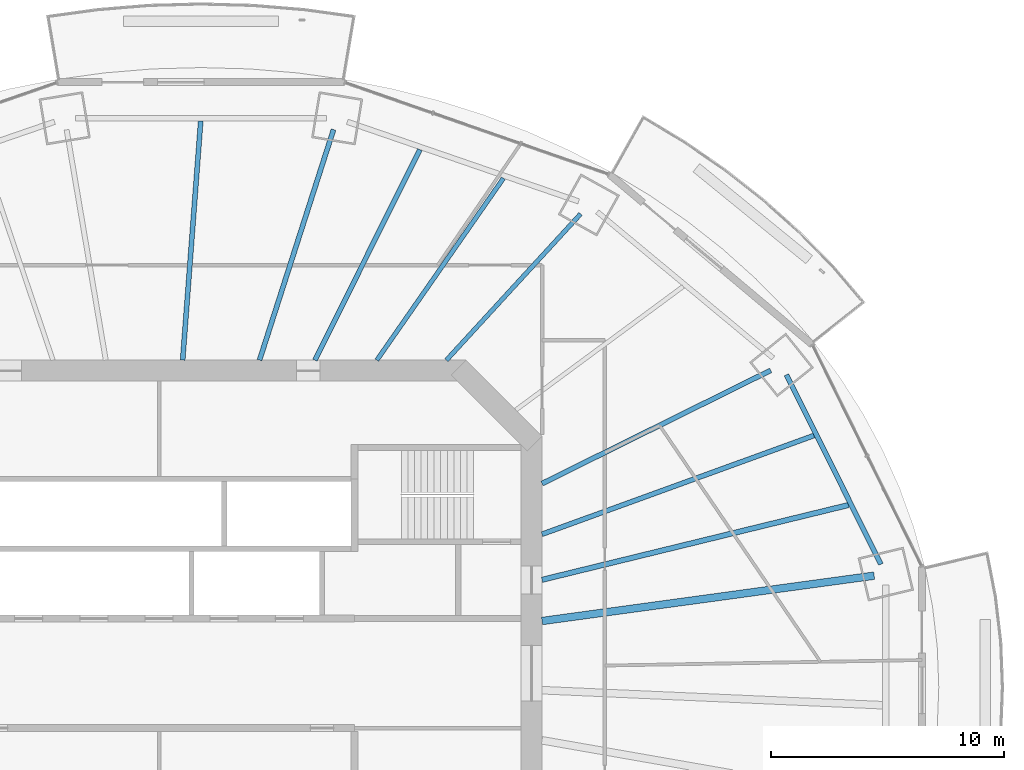
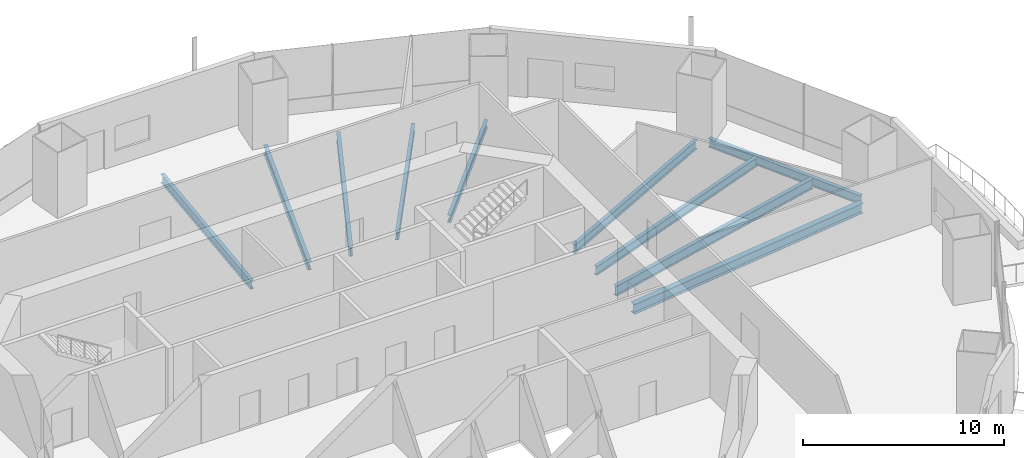
# One storey, part 7 of 21: 10 beams.
"""IFC4 building model written with IfcOpenShell, lengths in metres."""

from ifc_helpers import new_model, si_unit, direction, frame, origin, origin_2d, place, context, subcontext, project, spatial, i_section, extrude, material, material_profile, profile_set, type_object, element, save


model = new_model("IFC4")

# Units and contexts
model_context = context("Model", 3, precision=1e-05, world=origin(), true_north=direction((0.0, 1.0)))
body_context = subcontext(model_context, "Body", "Model", "MODEL_VIEW")
ifc_project = project(units=[si_unit("LENGTHUNIT", "METRE"), si_unit("AREAUNIT", "SQUARE_METRE"), si_unit("VOLUMEUNIT", "CUBIC_METRE"), si_unit("PLANEANGLEUNIT", "RADIAN"), si_unit("MASSUNIT", "GRAM", prefix="KILO")], contexts=[model_context])

# Site, building, storey
site_placement = place(None, origin())
site = spatial("IfcSite", under=ifc_project, at=site_placement, CompositionType="ELEMENT")
building_placement = place(site_placement, origin())
building = spatial("IfcBuilding", under=site, at=building_placement, Name="Marenthal Gate Tower", CompositionType="ELEMENT")
storey_placement = place(building_placement, frame((0.0, 0.0, 198.39990234375)))
storey = spatial("IfcBuildingStorey", under=building, at=storey_placement, Name="L43", CompositionType="ELEMENT", Elevation=198.39990234375)

# Beams
ifc_material_1 = material(Name="Steel S355", Category="steel")
ifc_material_profile_1 = material_profile(ifc_material_1, i_section(OverallWidth=0.193115234375, OverallDepth=0.467041015625, WebThickness=0.011474609375, FlangeThickness=0.01904296875, FilletRadius=0.010009765625, at=origin_2d()), Name="W460X97")
ifc_profile_set_1 = profile_set([ifc_material_profile_1], Name="Steel S355")
beam_type_1 = type_object("IfcBeamType", Name="W460X97 beam", PredefinedType="BEAM", material=ifc_profile_set_1)
beam_1_placement = place(storey_placement, frame((18.10546875, 19.726806640625, -0.413330078125), z_axis=(-0.676183850406, -0.73673292342, 0.0), x_axis=(0.73673292342, -0.676183850406, 0.0)))
element("IfcBeam", 1, at=beam_1_placement, inside=storey, type_object=beam_type_1, Name="BM-L43-03", PredefinedType="BEAM", context=body_context, shape_type="SweptSolid", body=[
    extrude(i_section(OverallWidth=0.193115234375, OverallDepth=0.467041015625, WebThickness=0.011474609375, FlangeThickness=0.01904296875, FilletRadius=0.010009765625, at=origin_2d()), origin(), (0.0, 0.0, 1.0), 8.519775390625),
])
beam_2_placement = place(storey_placement, frame((14.790771484375, 21.258544921875, -0.413330078125), z_axis=(-0.571120884229, -0.820865966889, 0.0), x_axis=(0.820865966889, -0.571120884229, 0.0)))
element("IfcBeam", 2, at=beam_2_placement, inside=storey, type_object=beam_type_1, Name="BM-L43-20", PredefinedType="BEAM", context=body_context, shape_type="SweptSolid", body=[
    extrude(i_section(OverallWidth=0.193115234375, OverallDepth=0.467041015625, WebThickness=0.011474609375, FlangeThickness=0.01904296875, FilletRadius=0.010009765625, at=origin_2d()), origin(), (0.0, 0.0, 1.0), 9.5126953125),
])
ifc_material_2 = material(Name="Steel S355", Category="steel")
ifc_material_profile_2 = material_profile(ifc_material_2, i_section(OverallWidth=0.2099609375, OverallDepth=0.535888671875, WebThickness=0.010986328125, FlangeThickness=0.017333984375, FilletRadius=0.0126953125, at=origin_2d()), Name="W530X101")
ifc_profile_set_2 = profile_set([ifc_material_profile_2], Name="Steel S355")
beam_type_2 = type_object("IfcBeamType", Name="W530X101 beam", PredefinedType="BEAM", material=ifc_profile_set_2)
beam_3_placement = place(storey_placement, frame((11.20361328125, 22.492919921875, -0.447998046875), z_axis=(-0.445859796425, -0.895102810817, 0.0), x_axis=(0.895102810817, -0.445859796425, 0.0)))
element("IfcBeam", 3, at=beam_3_placement, inside=storey, type_object=beam_type_2, Name="BM-L43-21", PredefinedType="BEAM", context=body_context, shape_type="SweptSolid", body=[
    extrude(i_section(OverallWidth=0.2099609375, OverallDepth=0.535888671875, WebThickness=0.010986328125, FlangeThickness=0.017333984375, FilletRadius=0.0126953125, at=origin_2d()), origin(), (0.0, 0.0, 1.0), 10.102783203125),
])
beam_4_placement = place(storey_placement, frame((1.79150390625, 23.7216796875, -0.447998046875), z_axis=(-0.07532080965, -0.99715935318, 0.0), x_axis=(0.99715935318, -0.07532080965, 0.0)))
element("IfcBeam", 4, at=beam_4_placement, inside=storey, type_object=beam_type_2, Name="BM-L43-22", PredefinedType="BEAM", context=body_context, shape_type="SweptSolid", body=[
    extrude(i_section(OverallWidth=0.2099609375, OverallDepth=0.535888671875, WebThickness=0.010986328125, FlangeThickness=0.017333984375, FilletRadius=0.0126953125, at=origin_2d()), origin(), (0.0, 0.0, 1.0), 10.301025390625),
])
ifc_material_3 = material(Name="Steel S355", Category="steel")
ifc_material_profile_3 = material_profile(ifc_material_3, i_section(OverallWidth=0.2119140625, OverallDepth=0.5439453125, WebThickness=0.01318359375, FlangeThickness=0.021240234375, FilletRadius=0.0126953125, at=origin_2d()), Name="W530X123")
ifc_profile_set_3 = profile_set([ifc_material_profile_3], Name="Steel S355")
beam_type_3 = type_object("IfcBeamType", Name="W530X123 beam", PredefinedType="BEAM", material=ifc_profile_set_3)
beam_5_placement = place(storey_placement, frame((26.267822265625, 13.009521484375, -0.451904296875), z_axis=(-0.89611433434, -0.443823275403, 0.0), x_axis=(0.443823275403, -0.89611433434, 0.0)))
element("IfcBeam", 5, at=beam_5_placement, inside=storey, type_object=beam_type_3, Name="BM-L43-02", PredefinedType="BEAM", context=body_context, shape_type="SweptSolid", body=[
    extrude(i_section(OverallWidth=0.2119140625, OverallDepth=0.5439453125, WebThickness=0.01318359375, FlangeThickness=0.021240234375, FilletRadius=0.0126953125, at=origin_2d()), origin(), (0.0, 0.0, 1.0), 10.9560546875),
])
beam_6_placement = place(storey_placement, frame((7.494873046875, 23.349853515625, -0.451904296875), z_axis=(-0.30560630991, -0.95215796134, 0.0), x_axis=(0.95215796134, -0.30560630991, 0.0)))
element("IfcBeam", 6, at=beam_6_placement, inside=storey, type_object=beam_type_3, Name="BM-L43-04", PredefinedType="BEAM", context=body_context, shape_type="SweptSolid", body=[
    extrude(i_section(OverallWidth=0.2119140625, OverallDepth=0.5439453125, WebThickness=0.01318359375, FlangeThickness=0.021240234375, FilletRadius=0.0126953125, at=origin_2d()), origin(), (0.0, 0.0, 1.0), 10.397216796875),
])
beam_7_placement = place(storey_placement, frame((28.1298828125, 10.2119140625, -0.451904296875), z_axis=(-0.939974568128, -0.341244503653, 0.0), x_axis=(0.341244503653, -0.939974568128, 0.0)))
element("IfcBeam", 7, at=beam_7_placement, inside=storey, type_object=beam_type_3, Name="BM-L43-18", PredefinedType="BEAM", context=body_context, shape_type="SweptSolid", body=[
    extrude(i_section(OverallWidth=0.2119140625, OverallDepth=0.5439453125, WebThickness=0.01318359375, FlangeThickness=0.021240234375, FilletRadius=0.0126953125, at=origin_2d()), origin(), (0.0, 0.0, 1.0), 12.42578125),
])
beam_8_placement = place(storey_placement, frame((31.003662109375, 4.685791015625, -0.451904296875), z_axis=(-0.446214029057, 0.894926276446, 0.0), x_axis=(-0.894926276446, -0.446214029057, 0.0)))
element("IfcBeam", 8, at=beam_8_placement, inside=storey, type_object=beam_type_3, Name="BM-L43-41", PredefinedType="BEAM", context=body_context, shape_type="SweptSolid", body=[
    extrude(i_section(OverallWidth=0.2119140625, OverallDepth=0.5439453125, WebThickness=0.01318359375, FlangeThickness=0.021240234375, FilletRadius=0.0126953125, at=origin_2d()), origin(), (0.0, 0.0, 1.0), 9.088623046875),
])
ifc_material_4 = material(Name="Steel S355", Category="steel")
ifc_material_profile_4 = material_profile(ifc_material_4, i_section(OverallWidth=0.22900390625, OverallDepth=0.612060546875, WebThickness=0.011962890625, FlangeThickness=0.01953125, FilletRadius=0.0126953125, at=origin_2d()), Name="W610X125")
ifc_profile_set_4 = profile_set([ifc_material_profile_4], Name="Steel S355")
beam_type_4 = type_object("IfcBeamType", Name="W610X125 beam", PredefinedType="BEAM", material=ifc_profile_set_4)
beam_9_placement = place(storey_placement, frame((29.617431640625, 7.228759765625, -0.48583984375), z_axis=(-0.971481489313, -0.237115406336, 0.0), x_axis=(0.237115406336, -0.971481489313, 0.0)))
element("IfcBeam", 9, at=beam_9_placement, inside=storey, type_object=beam_type_4, Name="BM-L43-17", PredefinedType="BEAM", context=body_context, shape_type="SweptSolid", body=[
    extrude(i_section(OverallWidth=0.22900390625, OverallDepth=0.612060546875, WebThickness=0.011962890625, FlangeThickness=0.01953125, FilletRadius=0.0126953125, at=origin_2d()), origin(), (0.0, 0.0, 1.0), 13.553955078125),
])
ifc_material_5 = material(Name="Steel S355", Category="steel")
ifc_material_profile_5 = material_profile(ifc_material_5, i_section(OverallWidth=0.324951171875, OverallDepth=0.612060546875, WebThickness=0.0126953125, FlangeThickness=0.01904296875, FilletRadius=0.0126953125, at=origin_2d()), Name="W610X155")
ifc_profile_set_5 = profile_set([ifc_material_profile_5], Name="Steel S355")
beam_type_5 = type_object("IfcBeamType", Name="W610X155 beam", PredefinedType="BEAM", material=ifc_profile_set_5)
beam_10_placement = place(storey_placement, frame((30.71533203125, 4.1923828125, -0.48583984375), z_axis=(-0.990813960632, -0.135232005888, 0.0), x_axis=(0.135232005888, -0.990813960632, 0.0)))
element("IfcBeam", 10, at=beam_10_placement, inside=storey, type_object=beam_type_5, Name="BM-L43-01", PredefinedType="BEAM", context=body_context, shape_type="SweptSolid", body=[
    extrude(i_section(OverallWidth=0.324951171875, OverallDepth=0.612060546875, WebThickness=0.0126953125, FlangeThickness=0.01904296875, FilletRadius=0.0126953125, at=origin_2d()), origin(), (0.0, 0.0, 1.0), 14.397705078125),
])

save(model, "model.ifc")
